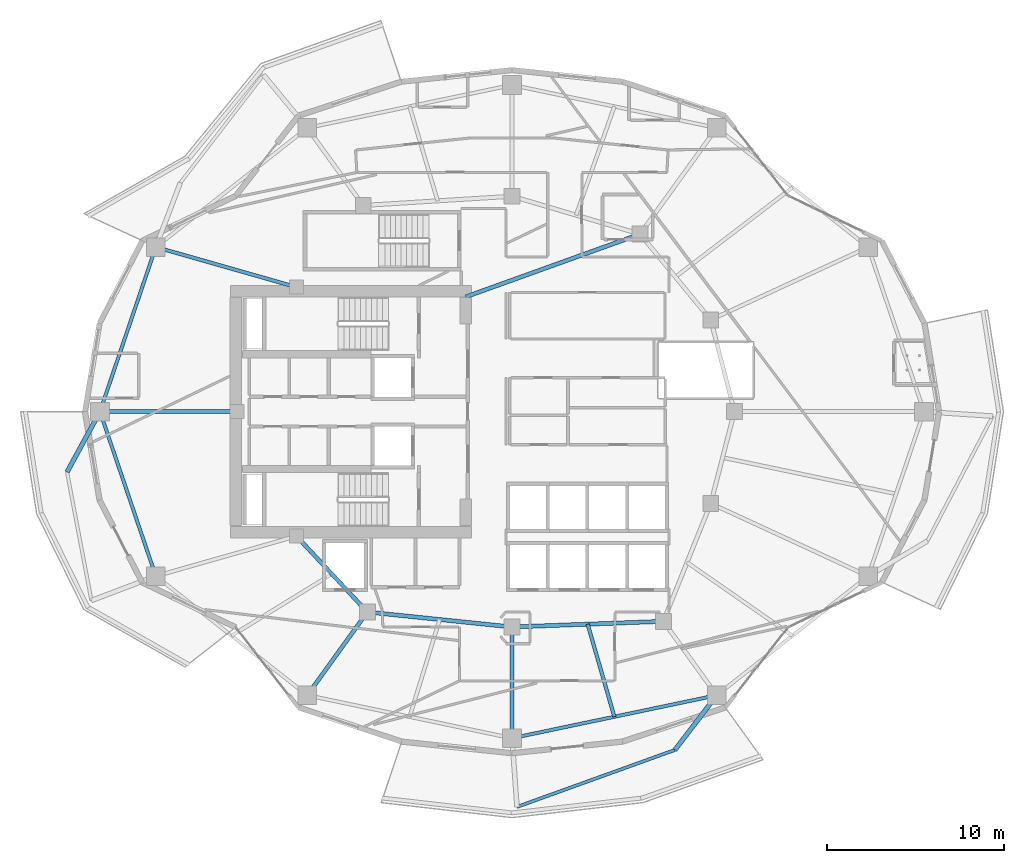
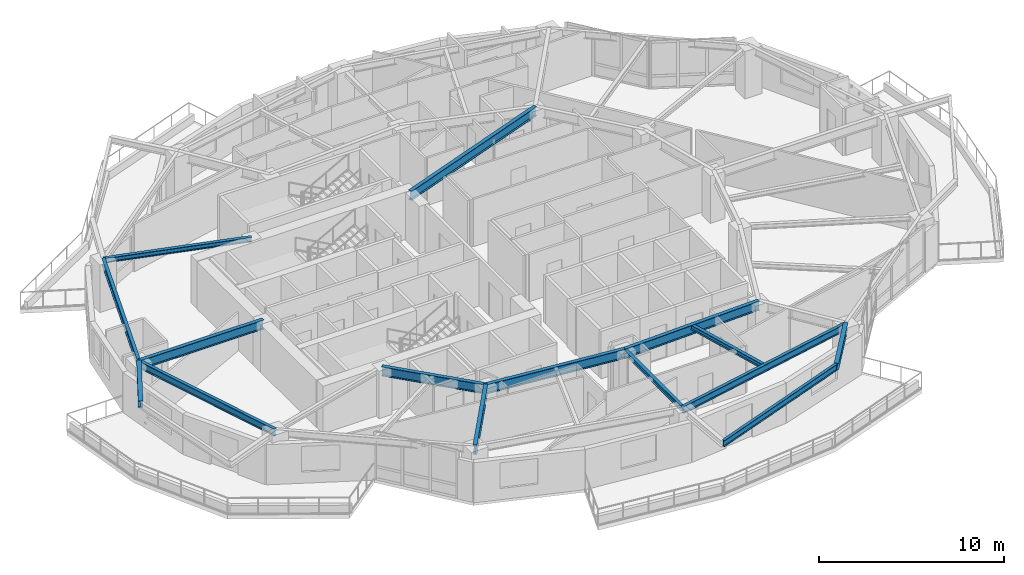
# One storey, part 3 of 19: 15 beams.
"""IFC4 building model written with IfcOpenShell, lengths in metres."""

from ifc_helpers import new_model, si_unit, direction, frame, origin, origin_2d, place, context, subcontext, project, spatial, i_section, extrude, material, material_profile, profile_set, type_object, element, save


model = new_model("IFC4")

# Units and contexts
model_context = context("Model", 3, precision=1e-05, world=origin(), true_north=direction((0.0, 1.0)))
body_context = subcontext(model_context, "Body", "Model", "MODEL_VIEW")
ifc_project = project(units=[si_unit("LENGTHUNIT", "METRE"), si_unit("AREAUNIT", "SQUARE_METRE"), si_unit("VOLUMEUNIT", "CUBIC_METRE"), si_unit("PLANEANGLEUNIT", "RADIAN"), si_unit("MASSUNIT", "GRAM", prefix="KILO")], contexts=[model_context])

# Site, building, storey
site_placement = place(None, origin())
site = spatial("IfcSite", under=ifc_project, at=site_placement, CompositionType="ELEMENT")
building_placement = place(site_placement, origin())
building = spatial("IfcBuilding", under=site, at=building_placement, Name="Kolvaren Gate Tower and Convention Centre", CompositionType="ELEMENT")
storey_placement = place(building_placement, frame((0.0, 0.0, 122.300048828125)))
storey = spatial("IfcBuildingStorey", under=building, at=storey_placement, Name="L30", CompositionType="ELEMENT", Elevation=122.300048828125)

# Beams
ifc_material = material(Name="Structural steel ASTM A992 Grade 345 MPa", Category="steel")
ifc_material_profile_1 = material_profile(ifc_material, i_section(OverallWidth=0.260009765625, OverallDepth=0.419921875, WebThickness=0.013427734375, FlangeThickness=0.0224609375, at=origin_2d()), Name="W410X132")
ifc_profile_set_1 = profile_set([ifc_material_profile_1], Name="Structural steel ASTM A992 Grade 345 MPa")
beam_type_1 = type_object("IfcBeamType", Name="STR-BM-W410X132", PredefinedType="BEAM", material=ifc_profile_set_1)
beam_1_placement = place(storey_placement, frame((6.78759765625, 27.0, 2.92041015625), z_axis=(-0.478878445754, -0.877881218726, 0.0), x_axis=(0.877881218726, -0.478878445754, 0.0)))
element("IfcBeam", 1, at=beam_1_placement, inside=storey, type_object=beam_type_1, Name="Tower L31 Planted Balcony Outrigger Cantilever BC-2A", PredefinedType="BEAM", context=body_context, shape_type="SweptSolid", body=[
    extrude(i_section(OverallWidth=0.260009765625, OverallDepth=0.419921875, WebThickness=0.013427734375, FlangeThickness=0.0224609375, at=origin_2d()), origin(), (0.0, 0.0, 1.0), 3.900146484375),
])
beam_2_placement = place(storey_placement, frame((41.721435546875, 10.931640625, 2.92041015625), z_axis=(-0.607684772981, -0.794178328014, 0.0), x_axis=(0.794178328014, -0.607684772981, 0.0)))
element("IfcBeam", 2, at=beam_2_placement, inside=storey, type_object=beam_type_1, Name="Tower L31 Planted Balcony Outrigger Cantilever BC-3B", PredefinedType="BEAM", context=body_context, shape_type="SweptSolid", body=[
    extrude(i_section(OverallWidth=0.260009765625, OverallDepth=0.419921875, WebThickness=0.013427734375, FlangeThickness=0.0224609375, at=origin_2d()), origin(), (0.0, 0.0, 1.0), 3.89990234375),
])
ifc_material_profile_2 = material_profile(ifc_material, i_section(OverallWidth=0.22998046875, OverallDepth=0.616943359375, WebThickness=0.01318359375, FlangeThickness=0.022216796875, at=origin_2d()), Name="W610X140")
ifc_profile_set_2 = profile_set([ifc_material_profile_2], Name="Structural steel ASTM A992 Grade 345 MPa")
beam_type_2 = type_object("IfcBeamType", Name="STR-BM-W610X140", PredefinedType="BEAM", material=ifc_profile_set_2)
beam_3_placement = place(storey_placement, frame((17.9140625, 19.949951171875, 2.821533203125), z_axis=(0.682557592987, -0.730831808459, 0.0), x_axis=(0.730831808459, 0.682557592987, 0.0)))
element("IfcBeam", 3, at=beam_3_placement, inside=storey, type_object=beam_type_2, Name="Tower L30 Primary Ring Girder G-06", PredefinedType="BEAM", context=body_context, shape_type="SweptSolid", body=[
    extrude(i_section(OverallWidth=0.22998046875, OverallDepth=0.616943359375, WebThickness=0.01318359375, FlangeThickness=0.022216796875, at=origin_2d()), origin(), (0.0, 0.0, 1.0), 5.88671875),
])
beam_4_placement = place(storey_placement, frame((21.93212890625, 15.647705078125, 2.821533203125), z_axis=(0.994690329115, -0.102913308978, 0.0), x_axis=(0.102913308978, 0.994690329115, 0.0)))
element("IfcBeam", 4, at=beam_4_placement, inside=storey, type_object=beam_type_2, Name="Tower L30 Primary Ring Girder G-07", PredefinedType="BEAM", context=body_context, shape_type="SweptSolid", body=[
    extrude(i_section(OverallWidth=0.22998046875, OverallDepth=0.616943359375, WebThickness=0.01318359375, FlangeThickness=0.022216796875, at=origin_2d()), origin(), (0.0, 0.0, 1.0), 8.236572265625),
])
beam_5_placement = place(storey_placement, frame((30.125, 14.800048828125, 2.821533203125), z_axis=(0.999301712453, 0.037364254142, 0.0), x_axis=(-0.037364254142, 0.999301712453, 0.0)))
element("IfcBeam", 5, at=beam_5_placement, inside=storey, type_object=beam_type_2, Name="Tower L30 Primary Ring Girder G-08", PredefinedType="BEAM", context=body_context, shape_type="SweptSolid", body=[
    extrude(i_section(OverallWidth=0.22998046875, OverallDepth=0.616943359375, WebThickness=0.01318359375, FlangeThickness=0.022216796875, at=origin_2d()), origin(), (0.0, 0.0, 1.0), 8.579345703125),
])
beam_6_placement = place(storey_placement, frame((27.5, 33.5, 2.821533203125), z_axis=(0.940961479908, 0.338513653093, 0.0), x_axis=(-0.338513653093, 0.940961479908, 0.0)))
element("IfcBeam", 6, at=beam_6_placement, inside=storey, type_object=beam_type_2, Name="Tower L30 Primary Ring Girder G-10", PredefinedType="BEAM", context=body_context, shape_type="SweptSolid", body=[
    extrude(i_section(OverallWidth=0.22998046875, OverallDepth=0.616943359375, WebThickness=0.01318359375, FlangeThickness=0.022216796875, at=origin_2d()), origin(), (0.0, 0.0, 1.0), 10.501708984375),
])
beam_7_placement = place(storey_placement, frame((14.550048828125, 27.0, 2.821533203125), z_axis=(-1.0, 0.0, 0.0), x_axis=(0.0, -1.0, 0.0)))
element("IfcBeam", 7, at=beam_7_placement, inside=storey, type_object=beam_type_2, Name="Tower L30 Radial Floor Girder RB-07", PredefinedType="BEAM", context=body_context, shape_type="SweptSolid", body=[
    extrude(i_section(OverallWidth=0.22998046875, OverallDepth=0.616943359375, WebThickness=0.01318359375, FlangeThickness=0.022216796875, at=origin_2d()), origin(), (0.0, 0.0, 1.0), 7.762451171875),
])
beam_8_placement = place(storey_placement, frame((21.93212890625, 15.647705078125, 2.821533203125), z_axis=(-0.585210043569, -0.810881745328, 0.0), x_axis=(0.810881745328, -0.585210043569, 0.0)))
element("IfcBeam", 8, at=beam_8_placement, inside=storey, type_object=beam_type_2, Name="Tower L30 Radial Floor Girder RB-09", PredefinedType="BEAM", context=body_context, shape_type="SweptSolid", body=[
    extrude(i_section(OverallWidth=0.22998046875, OverallDepth=0.616943359375, WebThickness=0.01318359375, FlangeThickness=0.022216796875, at=origin_2d()), origin(), (0.0, 0.0, 1.0), 5.81591796875),
])
ifc_material_profile_3 = material_profile(ifc_material, i_section(OverallWidth=0.205078125, OverallDepth=0.31005859375, WebThickness=0.009521484375, FlangeThickness=0.016357421875, at=origin_2d()), Name="W310X74")
ifc_profile_set_3 = profile_set([ifc_material_profile_3], Name="Structural steel ASTM A992 Grade 345 MPa")
beam_type_3 = type_object("IfcBeamType", Name="STR-JS-W310X74", PredefinedType="JOIST", material=ifc_profile_set_3)
beam_9_placement = place(storey_placement, frame((17.9140625, 34.050048828125, 2.974853515625), z_axis=(-0.961746134311, 0.27394228067, 0.0), x_axis=(-0.27394228067, -0.961746134311, 0.0)))
element("IfcBeam", 9, at=beam_9_placement, inside=storey, type_object=beam_type_3, Name="Tower L30 Radial Floor Girder RB-06", PredefinedType="JOIST", context=body_context, shape_type="SweptSolid", body=[
    extrude(i_section(OverallWidth=0.205078125, OverallDepth=0.31005859375, WebThickness=0.009521484375, FlangeThickness=0.016357421875, at=origin_2d()), origin(), (0.0, 0.0, 1.0), 8.28125),
])
beam_10_placement = place(storey_placement, frame((30.125, 14.800048828125, 2.974853515625), z_axis=(0.0, -1.0, 0.0), x_axis=(1.0, 0.0, 0.0)))
element("IfcBeam", 10, at=beam_10_placement, inside=storey, type_object=beam_type_3, Name="Tower L30 Radial Floor Girder RB-10", PredefinedType="JOIST", context=body_context, shape_type="SweptSolid", body=[
    extrude(i_section(OverallWidth=0.205078125, OverallDepth=0.31005859375, WebThickness=0.009521484375, FlangeThickness=0.016357421875, at=origin_2d()), origin(), (0.0, 0.0, 1.0), 6.300048828125),
])
beam_11_placement = place(storey_placement, frame((34.41162109375, 14.960205078125, 2.974853515625), z_axis=(0.27693589933, -0.960888395009, 0.0), x_axis=(0.960888395009, 0.27693589933, 0.0)))
element("IfcBeam", 11, at=beam_11_placement, inside=storey, type_object=beam_type_3, Name="Tower L30 Secondary Composite Floor Joist J-10.1", PredefinedType="JOIST", context=body_context, shape_type="SweptSolid", body=[
    extrude(i_section(OverallWidth=0.205078125, OverallDepth=0.31005859375, WebThickness=0.009521484375, FlangeThickness=0.016357421875, at=origin_2d()), origin(), (0.0, 0.0, 1.0), 5.457763671875),
])
ifc_material_profile_4 = material_profile(ifc_material, i_section(OverallWidth=0.180908203125, OverallDepth=0.4169921875, WebThickness=0.010986328125, FlangeThickness=0.018310546875, at=origin_2d()), Name="W410X85")
ifc_profile_set_4 = profile_set([ifc_material_profile_4], Name="Structural steel ASTM A992 Grade 345 MPa")
beam_type_4 = type_object("IfcBeamType", Name="STR-SP-W410X85", PredefinedType="SPANDREL", material=ifc_profile_set_4)
beam_12_placement = place(storey_placement, frame((30.4091796875, 4.6103515625, 2.921875), z_axis=(0.940724254556, 0.339172340987, 0.0), x_axis=(-0.339172340987, 0.940724254556, 0.0)))
element("IfcBeam", 12, at=beam_12_placement, inside=storey, type_object=beam_type_4, Name="Tower L31 Planted Balcony Header Tie Beam BT-3", PredefinedType="SPANDREL", context=body_context, shape_type="SweptSolid", body=[
    extrude(i_section(OverallWidth=0.180908203125, OverallDepth=0.4169921875, WebThickness=0.010986328125, FlangeThickness=0.018310546875, at=origin_2d()), origin(), (0.0, 0.0, 1.0), 9.505859375),
])
ifc_material_profile_5 = material_profile(ifc_material, i_section(OverallWidth=0.194091796875, OverallDepth=0.468994140625, WebThickness=0.0126953125, FlangeThickness=0.0205078125, at=origin_2d()), Name="W460X106")
ifc_profile_set_5 = profile_set([ifc_material_profile_5], Name="Structural steel ASTM A992 Grade 345 MPa")
beam_type_5 = type_object("IfcBeamType", Name="STR-SP-W460X106", PredefinedType="SPANDREL", material=ifc_profile_set_5)
for number, where, z_axis, x_axis, name in (
    (13, (9.94970703125, 36.318603515625, 2.8955078125), (-0.321336471485, -0.946965084939, 0.0), (0.946965084939, -0.321336471485, 0.0), "Tower L30 Perimeter Spandrel Beam SP-06"),
    (14, (6.78759765625, 27.0, 2.8955078125), (0.321336471485, -0.946965084939, 0.0), (0.946965084939, 0.321336471485, 0.0), "Tower L30 Perimeter Spandrel Beam SP-07"),
):
    element("IfcBeam", number, at=place(storey_placement, frame(where, z_axis=z_axis, x_axis=x_axis)), inside=storey, type_object=beam_type_5, Name=name, PredefinedType="SPANDREL", context=body_context, shape_type="SweptSolid", body=[
        extrude(i_section(OverallWidth=0.194091796875, OverallDepth=0.468994140625, WebThickness=0.0126953125, FlangeThickness=0.0205078125, at=origin_2d()), origin(), (0.0, 0.0, 1.0), 9.840576171875),
    ])
beam_13_placement = place(storey_placement, frame((30.125, 8.5, 2.8955078125), z_axis=(0.978714746947, 0.205225349578, 0.0), x_axis=(-0.205225349578, 0.978714746947, 0.0)))
element("IfcBeam", 15, at=beam_13_placement, inside=storey, type_object=beam_type_5, Name="Tower L30 Perimeter Spandrel Beam SP-10", PredefinedType="SPANDREL", context=body_context, shape_type="SweptSolid", body=[
    extrude(i_section(OverallWidth=0.194091796875, OverallDepth=0.468994140625, WebThickness=0.0126953125, FlangeThickness=0.0205078125, at=origin_2d()), origin(), (0.0, 0.0, 1.0), 11.8486328125),
])

save(model, "model.ifc")
